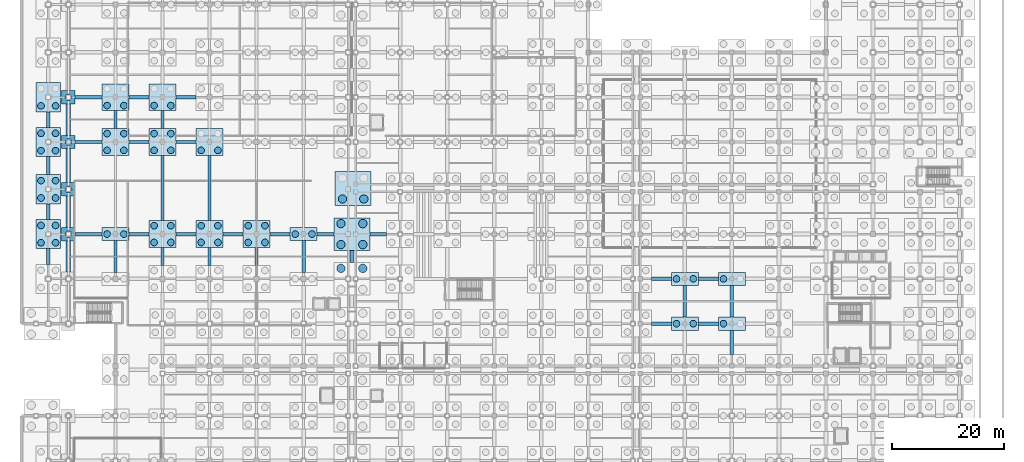
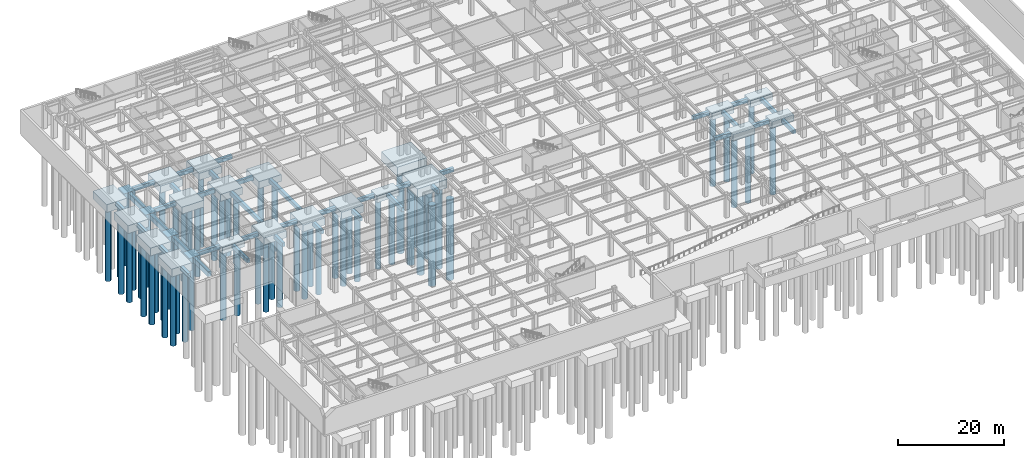
# One storey, part 6 of 55: 62 footings, 62 piles.
"""IFC4 building model written with IfcOpenShell, lengths in metres."""

import ifcopenshell
import ifcopenshell.guid

model = None  # the IFC model being written
_history = None  # IfcOwnerHistory: only IFC2X3 demands one
_inside = {}  # id of a spatial element -> (the spatial element, [elements in it])
_under = {}  # id of a project, library or spatial element -> (it, [spatial elements below it])
_declared = {}  # id of a project -> (the project, [libraries it declares])
_typed = {}  # id of a type object -> (the type object, [elements of that type])
_made_of = {}  # id of a material, layer set ... -> (it, [elements and type objects made of it])


def new_model(schema):
    """Start an empty IFC model of exactly this schema.

    Asked for "IFC4X3", IfcOpenShell would pick the latest addendum, in which some entities
    have other attributes; the version numbers below select the first issue.
    IFC2X3 requires an IfcOwnerHistory on every rooted entity: one is made here for all.
    """
    global model, _history
    if schema == "IFC4X3":
        model = ifcopenshell.file(schema_version=(4, 3, 0, 0))
    else:
        model = ifcopenshell.file(schema=schema)
    _inside.clear()
    _under.clear()
    _declared.clear()
    _typed.clear()
    _made_of.clear()
    _history = None
    if model.schema == "IFC2X3":
        org = make("IfcOrganization", Name="unknown")
        user = make(
            "IfcPersonAndOrganization",
            ThePerson=make("IfcPerson", FamilyName="unknown"),
            TheOrganization=org,
        )
        app = make(
            "IfcApplication",
            ApplicationDeveloper=org,
            Version="unknown",
            ApplicationFullName="unknown",
            ApplicationIdentifier="unknown",
        )
        _history = make(
            "IfcOwnerHistory",
            OwningUser=user,
            OwningApplication=app,
            ChangeAction="ADDED",
            CreationDate=0,
        )
    return model


def make(cls, **values):
    """One entity of the class cls with the attributes given. An attribute that is None is left unset."""
    return model.create_entity(
        cls, **{name: value for name, value in values.items() if value is not None}
    )


def rooted(cls, **values):
    """An entity with a GlobalId (a new one), such as an element, a storey or a relation."""
    return make(cls, GlobalId=ifcopenshell.guid.new(), OwnerHistory=_history, **values)


def si_unit(unit_type, name, prefix=None):
    """IfcSIUnit, for example si_unit("LENGTHUNIT", "METRE", prefix="MILLI")."""
    return make("IfcSIUnit", UnitType=unit_type, Prefix=prefix, Name=name)


def assignment(units):
    """IfcUnitAssignment: the units of a project."""
    return None if units is None else make("IfcUnitAssignment", Units=units)


def point(xyz):
    """IfcCartesianPoint."""
    return None if xyz is None else make("IfcCartesianPoint", Coordinates=xyz)


def direction(xyz):
    """IfcDirection."""
    return None if xyz is None else make("IfcDirection", DirectionRatios=xyz)


def frame(location, z_axis=None, x_axis=None):
    """IfcAxis2Placement3D, a coordinate frame: its origin and axes. An axis left out is left unset."""
    return make(
        "IfcAxis2Placement3D",
        Location=point(location),
        Axis=direction(z_axis),
        RefDirection=direction(x_axis),
    )


def frame_2d(location, x_axis=None):
    """IfcAxis2Placement2D, a coordinate frame in the plane: its origin and x axis."""
    return make(
        "IfcAxis2Placement2D", Location=point(location), RefDirection=direction(x_axis)
    )


def origin():
    """The frame at (0, 0, 0) with its axes left unset."""
    return frame((0.0, 0.0, 0.0))


def origin_2d():
    """The frame at (0, 0) in the plane with its x axis left unset."""
    return frame_2d((0.0, 0.0))


def place(relative_to, where):
    """IfcLocalPlacement: puts the frame where relative to a parent placement (None: the world)."""
    return make(
        "IfcLocalPlacement", PlacementRelTo=relative_to, RelativePlacement=where
    )


def context(
    kind, dimensions, precision=None, world=None, true_north=None, identifier=None
):
    """IfcGeometricRepresentationContext, for example the 3D "Model" context."""
    return make(
        "IfcGeometricRepresentationContext",
        ContextIdentifier=identifier,
        ContextType=kind,
        CoordinateSpaceDimension=dimensions,
        Precision=precision,
        WorldCoordinateSystem=world,
        TrueNorth=true_north,
    )


def subcontext(parent, identifier, kind, view, scale=None):
    """IfcGeometricRepresentationSubContext, for example "Body" below "Model"."""
    return make(
        "IfcGeometricRepresentationSubContext",
        ContextIdentifier=identifier,
        ContextType=kind,
        ParentContext=parent,
        TargetScale=scale,
        TargetView=view,
    )


def project(units=None, contexts=None):
    """IfcProject with its units and contexts."""
    return rooted(
        "IfcProject",
        Name="project",
        RepresentationContexts=contexts,
        UnitsInContext=assignment(units),
    )


def spatial(cls, under=None, at=None, **own):
    """A site, building, storey or space (cls), placed at a placement, below another one or the project."""
    s = rooted(cls, ObjectPlacement=at, **own)
    if under is not None:
        _under.setdefault(under.id(), (under, []))[1].append(s)
    return s


def profile(cls, at=None, kind="AREA", **sizes):
    """A parametric profile (cls). Its sizes go by their IFC names, for example OverallWidth=200.0."""
    return make(cls, ProfileType=kind, Position=at, **sizes)


def rectangle(**sizes):
    """IfcRectangleProfileDef."""
    return profile("IfcRectangleProfileDef", **sizes)


def circle(**sizes):
    """IfcCircleProfileDef."""
    return profile("IfcCircleProfileDef", **sizes)


def extrude(swept, where, along, depth):
    """IfcExtrudedAreaSolid: the profile swept, set in the frame where, extruded along a direction by depth."""
    return make(
        "IfcExtrudedAreaSolid",
        SweptArea=swept,
        Position=where,
        ExtrudedDirection=direction(along),
        Depth=depth,
    )


def shape(context_of_items, identifier, shape_type, items):
    """IfcShapeRepresentation: the items that make up one representation, for example the "Body"."""
    return make(
        "IfcShapeRepresentation",
        ContextOfItems=context_of_items,
        RepresentationIdentifier=identifier,
        RepresentationType=shape_type,
        Items=items,
    )


def material(Name=None, Category=None):
    """IfcMaterial."""
    return make("IfcMaterial", Name=Name, Category=Category)


def layer(
    of_material, thickness, ventilated=None, Name=None, Category=None, Priority=None
):
    """IfcMaterialLayer: one layer of a wall or slab, of a material (None: an air gap)."""
    return make(
        "IfcMaterialLayer",
        Material=of_material,
        LayerThickness=thickness,
        IsVentilated=ventilated,
        Name=Name,
        Category=Category,
        Priority=Priority,
    )


def layer_set(layers, Name=None):
    """IfcMaterialLayerSet."""
    return make("IfcMaterialLayerSet", MaterialLayers=layers, LayerSetName=Name)


def material_profile(
    of_material, cross_section, Name=None, Category=None, Priority=None
):
    """IfcMaterialProfile: a cross section and its material."""
    return make(
        "IfcMaterialProfile",
        Name=Name,
        Material=of_material,
        Profile=cross_section,
        Priority=Priority,
        Category=Category,
    )


def profile_set(profiles, Name=None, composite=None):
    """IfcMaterialProfileSet."""
    return make(
        "IfcMaterialProfileSet",
        Name=Name,
        MaterialProfiles=profiles,
        CompositeProfile=composite,
    )


def made_of(thing, what):
    """Note that an element or type object is made of a material, layer set ...; save() writes the relation."""
    if what is not None:
        _made_of.setdefault(what.id(), (what, []))[1].append(thing)
    return thing


def type_object(cls, material=None, **own):
    """A type object (cls), such as IfcWallType, which elements share."""
    return made_of(rooted(cls, **own), material)


def element(
    cls,
    number,
    at=None,
    inside=None,
    cuts=None,
    type_object=None,
    material=None,
    context=None,
    identifier="Body",
    shape_type=None,
    held_by="IfcProductDefinitionShape",
    body=None,
    shapes=None,
    **own,
):
    """One element of the class cls, such as IfcWall. Its Tag is "e" and its number.

    at: its placement. inside: the storey or other place that contains it. cuts: it is an
    opening in that element (IfcRelVoidsElement). A single representation is given by context,
    identifier, shape_type and body (its items); several are given by shapes. held_by: the class
    of the entity that holds the representations. save() writes the other relations.
    """
    e = rooted(cls, Tag="e%d" % number, ObjectPlacement=at, **own)
    if body is not None:
        shapes = [shape(context, identifier, shape_type, body)]
    if shapes is not None:
        e.Representation = make(held_by, Representations=shapes)
    if inside is not None:
        _inside.setdefault(inside.id(), (inside, []))[1].append(e)
    if cuts is not None:
        rooted(
            "IfcRelVoidsElement", RelatingBuildingElement=cuts, RelatedOpeningElement=e
        )
    if type_object is not None:
        _typed.setdefault(type_object.id(), (type_object, []))[1].append(e)
    return made_of(e, material)


def aggregate(whole, parts):
    """IfcRelAggregates: a whole, such as a stair, and the parts it consists of."""
    return rooted("IfcRelAggregates", RelatingObject=whole, RelatedObjects=parts)


def save(model, path):
    """Write the relations noted so far, then the file.

    IfcRelAggregates (storeys below a building ...), IfcRelContainedInSpatialStructure (elements
    in a storey), IfcRelDefinesByType, IfcRelAssociatesMaterial and IfcRelDeclares: one each for
    every whole, place, type object, material and project.
    """
    for whole, parts in _under.values():
        aggregate(whole, parts)
    for where, things in _inside.values():
        rooted(
            "IfcRelContainedInSpatialStructure",
            RelatedElements=things,
            RelatingStructure=where,
        )
    for kind, things in _typed.values():
        rooted("IfcRelDefinesByType", RelatedObjects=things, RelatingType=kind)
    for what, things in _made_of.values():
        rooted("IfcRelAssociatesMaterial", RelatedObjects=things, RelatingMaterial=what)
    for by, libraries in _declared.values():
        rooted("IfcRelDeclares", RelatingContext=by, RelatedDefinitions=libraries)
    model.write(path)


model = new_model("IFC4")

# Units and contexts
model_context = context("Model", 3, precision=1e-05, world=origin(), true_north=direction((0.0, 1.0)))
body_context = subcontext(model_context, "Body", "Model", "MODEL_VIEW")
ifc_project = project(units=[si_unit("LENGTHUNIT", "METRE"), si_unit("AREAUNIT", "SQUARE_METRE"), si_unit("VOLUMEUNIT", "CUBIC_METRE"), si_unit("PLANEANGLEUNIT", "RADIAN"), si_unit("MASSUNIT", "GRAM", prefix="KILO")], contexts=[model_context])

# Site, building, storey
site_placement = place(None, origin())
site = spatial("IfcSite", under=ifc_project, at=site_placement, CompositionType="ELEMENT")
building_placement = place(site_placement, origin())
building = spatial("IfcBuilding", under=site, at=building_placement, Name="Kazehara Bluff Congress Hotel", CompositionType="ELEMENT")
storey_placement = place(building_placement, frame((0.0, 0.0, -5.39990234375)))
storey = spatial("IfcBuildingStorey", under=building, at=storey_placement, Name="B1", CompositionType="ELEMENT", Elevation=-5.39990234375)

# Footings
ifc_material_1 = material(Name="Concrete C36/45", Category="concrete")
ifc_material_profile_1 = material_profile(ifc_material_1, rectangle(XDim=0.60009765625, YDim=0.89990234375, at=origin_2d()))
ifc_profile_set_1 = profile_set([ifc_material_profile_1], Name="Concrete C36/45")
footing_type_1 = type_object("IfcFootingType", Name="TP-FB-01", PredefinedType="FOOTING_BEAM", material=ifc_profile_set_1)
footing_1_placement = place(storey_placement, frame((112.574951171875, 48.449951171875, -0.9501953125), z_axis=(1.0, 0.0, 0.0), x_axis=(0.0, 1.0, 0.0)))
element("IfcFooting", 1, at=footing_1_placement, inside=storey, type_object=footing_type_1, Name="Foundation tie beam FB-01 111", PredefinedType="FOOTING_BEAM", context=body_context, shape_type="SweptSolid", body=[
    extrude(rectangle(XDim=0.60009765625, YDim=0.89990234375, at=origin_2d()), origin(), (0.0, 0.0, 1.0), 3.525146484375),
])
footing_2_placement = place(storey_placement, frame((120.89990234375, 48.449951171875, -0.9501953125), z_axis=(1.0, 0.0, 0.0), x_axis=(0.0, 1.0, 0.0)))
element("IfcFooting", 2, at=footing_2_placement, inside=storey, type_object=footing_type_1, Name="Foundation tie beam FB-01 112", PredefinedType="FOOTING_BEAM", context=body_context, shape_type="SweptSolid", body=[
    extrude(rectangle(XDim=0.60009765625, YDim=0.89990234375, at=origin_2d()), origin(), (0.0, 0.0, 1.0), 3.60009765625),
])
footing_3_placement = place(storey_placement, frame((112.574951171875, 56.449951171875, -0.9501953125), z_axis=(1.0, 0.0, 0.0), x_axis=(0.0, 1.0, 0.0)))
element("IfcFooting", 3, at=footing_3_placement, inside=storey, type_object=footing_type_1, Name="Foundation tie beam FB-01 124", PredefinedType="FOOTING_BEAM", context=body_context, shape_type="SweptSolid", body=[
    extrude(rectangle(XDim=0.60009765625, YDim=0.89990234375, at=origin_2d()), origin(), (0.0, 0.0, 1.0), 3.525146484375),
])
footing_4_placement = place(storey_placement, frame((120.89990234375, 56.449951171875, -0.9501953125), z_axis=(1.0, 0.0, 0.0), x_axis=(0.0, 1.0, 0.0)))
element("IfcFooting", 4, at=footing_4_placement, inside=storey, type_object=footing_type_1, Name="Foundation tie beam FB-01 125", PredefinedType="FOOTING_BEAM", context=body_context, shape_type="SweptSolid", body=[
    extrude(rectangle(XDim=0.60009765625, YDim=0.89990234375, at=origin_2d()), origin(), (0.0, 0.0, 1.0), 3.60009765625),
])
footing_5_placement = place(storey_placement, frame((9.60009765625, 64.449951171875, -0.9501953125), z_axis=(1.0, 0.0, 0.0), x_axis=(0.0, 1.0, 0.0)))
element("IfcFooting", 5, at=footing_5_placement, inside=storey, type_object=footing_type_1, Name="Foundation tie beam FB-01 131", PredefinedType="FOOTING_BEAM", context=body_context, shape_type="SweptSolid", body=[
    extrude(rectangle(XDim=0.60009765625, YDim=0.89990234375, at=origin_2d()), origin(), (0.0, 0.0, 1.0), 4.7998046875),
])
footing_6_placement = place(storey_placement, frame((19.199951171875, 64.449951171875, -0.9501953125), z_axis=(1.0, 0.0, 0.0), x_axis=(0.0, 1.0, 0.0)))
element("IfcFooting", 6, at=footing_6_placement, inside=storey, type_object=footing_type_1, Name="Foundation tie beam FB-01 132", PredefinedType="FOOTING_BEAM", context=body_context, shape_type="SweptSolid", body=[
    extrude(rectangle(XDim=0.60009765625, YDim=0.89990234375, at=origin_2d()), origin(), (0.0, 0.0, 1.0), 3.60009765625),
])
footing_7_placement = place(storey_placement, frame((27.60009765625, 64.449951171875, -0.9501953125), z_axis=(1.0, 0.0, 0.0), x_axis=(0.0, 1.0, 0.0)))
element("IfcFooting", 7, at=footing_7_placement, inside=storey, type_object=footing_type_1, Name="Foundation tie beam FB-01 133", PredefinedType="FOOTING_BEAM", context=body_context, shape_type="SweptSolid", body=[
    extrude(rectangle(XDim=0.60009765625, YDim=0.89990234375, at=origin_2d()), origin(), (0.0, 0.0, 1.0), 3.599853515625),
])
for number, where, z_axis, x_axis, name in (
    (8, (36.0, 64.449951171875, -0.9501953125), (1.0, 0.0, 0.0), (0.0, 1.0, 0.0), "Foundation tie beam FB-01 134"),
    (9, (44.39990234375, 64.449951171875, -0.9501953125), (1.0, 0.0, 0.0), (0.0, 1.0, 0.0), "Foundation tie beam FB-01 135"),
):
    element("IfcFooting", number, at=place(storey_placement, frame(where, z_axis=z_axis, x_axis=x_axis)), inside=storey, type_object=footing_type_1, Name=name, PredefinedType="FOOTING_BEAM", context=body_context, shape_type="SweptSolid", body=[
        extrude(rectangle(XDim=0.60009765625, YDim=0.89990234375, at=origin_2d()), origin(), (0.0, 0.0, 1.0), 3.60009765625),
    ])
for number, where, z_axis, x_axis, name in (
    (10, (52.800048828125, 64.449951171875, -0.9501953125), (1.0, 0.0, 0.0), (0.0, 1.0, 0.0), "Foundation tie beam FB-01 136"),
    (11, (62.25, 64.449951171875, -0.9501953125), (1.0, 0.0, 0.0), (0.0, 1.0, 0.0), "Foundation tie beam FB-01 137"),
):
    element("IfcFooting", number, at=place(storey_placement, frame(where, z_axis=z_axis, x_axis=x_axis)), inside=storey, type_object=footing_type_1, Name=name, PredefinedType="FOOTING_BEAM", context=body_context, shape_type="SweptSolid", body=[
        extrude(rectangle(XDim=0.60009765625, YDim=0.89990234375, at=origin_2d()), origin(), (0.0, 0.0, 1.0), 3.0),
    ])
footing_8_placement = place(storey_placement, frame((9.60009765625, 80.89990234375, -0.9501953125), z_axis=(1.0, 0.0, 0.0), x_axis=(0.0, 1.0, 0.0)))
element("IfcFooting", 12, at=footing_8_placement, inside=storey, type_object=footing_type_1, Name="Foundation tie beam FB-01 161", PredefinedType="FOOTING_BEAM", context=body_context, shape_type="SweptSolid", body=[
    extrude(rectangle(XDim=0.60009765625, YDim=0.89990234375, at=origin_2d()), origin(), (0.0, 0.0, 1.0), 4.7998046875),
])
footing_9_placement = place(storey_placement, frame((19.199951171875, 80.89990234375, -0.9501953125), z_axis=(1.0, 0.0, 0.0), x_axis=(0.0, 1.0, 0.0)))
element("IfcFooting", 13, at=footing_9_placement, inside=storey, type_object=footing_type_1, Name="Foundation tie beam FB-01 162", PredefinedType="FOOTING_BEAM", context=body_context, shape_type="SweptSolid", body=[
    extrude(rectangle(XDim=0.60009765625, YDim=0.89990234375, at=origin_2d()), origin(), (0.0, 0.0, 1.0), 3.60009765625),
])
footing_10_placement = place(storey_placement, frame((27.60009765625, 80.89990234375, -0.9501953125), z_axis=(1.0, 0.0, 0.0), x_axis=(0.0, 1.0, 0.0)))
element("IfcFooting", 14, at=footing_10_placement, inside=storey, type_object=footing_type_1, Name="Foundation tie beam FB-01 163", PredefinedType="FOOTING_BEAM", context=body_context, shape_type="SweptSolid", body=[
    extrude(rectangle(XDim=0.60009765625, YDim=0.89990234375, at=origin_2d()), origin(), (0.0, 0.0, 1.0), 3.599853515625),
])
footing_11_placement = place(storey_placement, frame((9.60009765625, 88.89990234375, -0.9501953125), z_axis=(1.0, 0.0, 0.0), x_axis=(0.0, 1.0, 0.0)))
element("IfcFooting", 15, at=footing_11_placement, inside=storey, type_object=footing_type_1, Name="Foundation tie beam FB-01 180", PredefinedType="FOOTING_BEAM", context=body_context, shape_type="SweptSolid", body=[
    extrude(rectangle(XDim=0.60009765625, YDim=0.89990234375, at=origin_2d()), origin(), (0.0, 0.0, 1.0), 4.7998046875),
])
footing_12_placement = place(storey_placement, frame((19.199951171875, 88.89990234375, -0.9501953125), z_axis=(1.0, 0.0, 0.0), x_axis=(0.0, 1.0, 0.0)))
element("IfcFooting", 16, at=footing_12_placement, inside=storey, type_object=footing_type_1, Name="Foundation tie beam FB-01 181", PredefinedType="FOOTING_BEAM", context=body_context, shape_type="SweptSolid", body=[
    extrude(rectangle(XDim=0.60009765625, YDim=0.89990234375, at=origin_2d()), origin(), (0.0, 0.0, 1.0), 3.60009765625),
])
footing_13_placement = place(storey_placement, frame((27.60009765625, 88.89990234375, -0.9501953125), z_axis=(1.0, 0.0, 0.0), x_axis=(0.0, 1.0, 0.0)))
element("IfcFooting", 17, at=footing_13_placement, inside=storey, type_object=footing_type_1, Name="Foundation tie beam FB-01 182", PredefinedType="FOOTING_BEAM", context=body_context, shape_type="SweptSolid", body=[
    extrude(rectangle(XDim=0.60009765625, YDim=0.89990234375, at=origin_2d()), origin(), (0.0, 0.0, 1.0), 3.599853515625),
])
for number, where, z_axis, x_axis, name in (
    (18, (4.800048828125, 59.050048828125, -0.9501953125), (0.0, 1.0, 0.0), (-1.0, 0.0, 0.0), "Foundation tie beam FB-01 252"),
    (19, (4.800048828125, 67.050048828125, -0.9501953125), (0.0, 1.0, 0.0), (-1.0, 0.0, 0.0), "Foundation tie beam FB-01 253"),
):
    element("IfcFooting", number, at=place(storey_placement, frame(where, z_axis=z_axis, x_axis=x_axis)), inside=storey, type_object=footing_type_1, Name=name, PredefinedType="FOOTING_BEAM", context=body_context, shape_type="SweptSolid", body=[
        extrude(rectangle(XDim=0.60009765625, YDim=0.89990234375, at=origin_2d()), origin(), (0.0, 0.0, 1.0), 2.800048828125),
    ])
footing_14_placement = place(storey_placement, frame((4.800048828125, 75.050048828125, -0.9501953125), z_axis=(0.0, 1.0, 0.0), x_axis=(-1.0, 0.0, 0.0)))
element("IfcFooting", 20, at=footing_14_placement, inside=storey, type_object=footing_type_1, Name="Foundation tie beam FB-01 254", PredefinedType="FOOTING_BEAM", context=body_context, shape_type="SweptSolid", body=[
    extrude(rectangle(XDim=0.60009765625, YDim=0.89990234375, at=origin_2d()), origin(), (0.0, 0.0, 1.0), 3.25),
])
footing_15_placement = place(storey_placement, frame((4.800048828125, 83.5, -0.9501953125), z_axis=(0.0, 1.0, 0.0), x_axis=(-1.0, 0.0, 0.0)))
element("IfcFooting", 21, at=footing_15_placement, inside=storey, type_object=footing_type_1, Name="Foundation tie beam FB-01 255", PredefinedType="FOOTING_BEAM", context=body_context, shape_type="SweptSolid", body=[
    extrude(rectangle(XDim=0.60009765625, YDim=0.89990234375, at=origin_2d()), origin(), (0.0, 0.0, 1.0), 2.800048828125),
])
footing_16_placement = place(storey_placement, frame((16.800048828125, 57.625, -0.9501953125), z_axis=(0.0, 1.0, 0.0), x_axis=(-1.0, 0.0, 0.0)))
element("IfcFooting", 22, at=footing_16_placement, inside=storey, type_object=footing_type_1, Name="Foundation tie beam FB-01 276", PredefinedType="FOOTING_BEAM", context=body_context, shape_type="SweptSolid", body=[
    extrude(rectangle(XDim=0.60009765625, YDim=0.89990234375, at=origin_2d()), origin(), (0.0, 0.0, 1.0), 5.64990234375),
])
for number, where, z_axis, x_axis, name in (
    (23, (16.800048828125, 83.300048828125, -0.9501953125), (0.0, 1.0, 0.0), (-1.0, 0.0, 0.0), "Foundation tie beam FB-01 277"),
    (24, (25.199951171875, 58.85009765625, -0.9501953125), (0.0, 1.0, 0.0), (-1.0, 0.0, 0.0), "Foundation tie beam FB-01 287"),
):
    element("IfcFooting", number, at=place(storey_placement, frame(where, z_axis=z_axis, x_axis=x_axis)), inside=storey, type_object=footing_type_1, Name=name, PredefinedType="FOOTING_BEAM", context=body_context, shape_type="SweptSolid", body=[
        extrude(rectangle(XDim=0.60009765625, YDim=0.89990234375, at=origin_2d()), origin(), (0.0, 0.0, 1.0), 3.199951171875),
    ])
footing_17_placement = place(storey_placement, frame((25.199951171875, 66.85009765625, -0.9501953125), z_axis=(0.0, 1.0, 0.0), x_axis=(-1.0, 0.0, 0.0)))
element("IfcFooting", 25, at=footing_17_placement, inside=storey, type_object=footing_type_1, Name="Foundation tie beam FB-01 288", PredefinedType="FOOTING_BEAM", context=body_context, shape_type="SweptSolid", body=[
    extrude(rectangle(XDim=0.60009765625, YDim=0.89990234375, at=origin_2d()), origin(), (0.0, 0.0, 1.0), 11.64990234375),
])
for number, where, z_axis, x_axis, name in (
    (26, (25.199951171875, 83.300048828125, -0.9501953125), (0.0, 1.0, 0.0), (-1.0, 0.0, 0.0), "Foundation tie beam FB-01 289"),
    (27, (33.60009765625, 58.85009765625, -0.9501953125), (0.0, 1.0, 0.0), (-1.0, 0.0, 0.0), "Foundation tie beam FB-01 301"),
):
    element("IfcFooting", number, at=place(storey_placement, frame(where, z_axis=z_axis, x_axis=x_axis)), inside=storey, type_object=footing_type_1, Name=name, PredefinedType="FOOTING_BEAM", context=body_context, shape_type="SweptSolid", body=[
        extrude(rectangle(XDim=0.60009765625, YDim=0.89990234375, at=origin_2d()), origin(), (0.0, 0.0, 1.0), 3.199951171875),
    ])
footing_18_placement = place(storey_placement, frame((33.60009765625, 66.85009765625, -0.9501953125), z_axis=(0.0, 1.0, 0.0), x_axis=(-1.0, 0.0, 0.0)))
element("IfcFooting", 28, at=footing_18_placement, inside=storey, type_object=footing_type_1, Name="Foundation tie beam FB-01 302", PredefinedType="FOOTING_BEAM", context=body_context, shape_type="SweptSolid", body=[
    extrude(rectangle(XDim=0.60009765625, YDim=0.89990234375, at=origin_2d()), origin(), (0.0, 0.0, 1.0), 11.64990234375),
])
footing_19_placement = place(storey_placement, frame((42.0, 58.85009765625, -0.9501953125), z_axis=(0.0, 1.0, 0.0), x_axis=(-1.0, 0.0, 0.0)))
element("IfcFooting", 29, at=footing_19_placement, inside=storey, type_object=footing_type_1, Name="Foundation tie beam FB-01 314", PredefinedType="FOOTING_BEAM", context=body_context, shape_type="SweptSolid", body=[
    extrude(rectangle(XDim=0.60009765625, YDim=0.89990234375, at=origin_2d()), origin(), (0.0, 0.0, 1.0), 3.199951171875),
])
footing_20_placement = place(storey_placement, frame((50.39990234375, 57.625, -0.9501953125), z_axis=(0.0, 1.0, 0.0), x_axis=(-1.0, 0.0, 0.0)))
element("IfcFooting", 30, at=footing_20_placement, inside=storey, type_object=footing_type_1, Name="Foundation tie beam FB-01 325", PredefinedType="FOOTING_BEAM", context=body_context, shape_type="SweptSolid", body=[
    extrude(rectangle(XDim=0.60009765625, YDim=0.89990234375, at=origin_2d()), origin(), (0.0, 0.0, 1.0), 5.64990234375),
])
footing_21_placement = place(storey_placement, frame((59.02490234375, 59.35009765625, -0.9501953125), z_axis=(0.0, 1.0, 0.0), x_axis=(-1.0, 0.0, 0.0)))
element("IfcFooting", 31, at=footing_21_placement, inside=storey, type_object=footing_type_1, Name="Foundation tie beam FB-01 334", PredefinedType="FOOTING_BEAM", context=body_context, shape_type="SweptSolid", body=[
    extrude(rectangle(XDim=0.60009765625, YDim=0.89990234375, at=origin_2d()), origin(), (0.0, 0.0, 1.0), 2.199951171875),
])
footing_22_placement = place(storey_placement, frame((118.5, 49.625, -0.9501953125), z_axis=(0.0, 1.0, 0.0), x_axis=(-1.0, 0.0, 0.0)))
element("IfcFooting", 32, at=footing_22_placement, inside=storey, type_object=footing_type_1, Name="Foundation tie beam FB-01 419", PredefinedType="FOOTING_BEAM", context=body_context, shape_type="SweptSolid", body=[
    extrude(rectangle(XDim=0.60009765625, YDim=0.89990234375, at=origin_2d()), origin(), (0.0, 0.0, 1.0), 5.64990234375),
])
footing_23_placement = place(storey_placement, frame((126.89990234375, 42.925048828125, -0.9501953125), z_axis=(0.0, 1.0, 0.0), x_axis=(-1.0, 0.0, 0.0)))
element("IfcFooting", 33, at=footing_23_placement, inside=storey, type_object=footing_type_1, Name="Foundation tie beam FB-01 429", PredefinedType="FOOTING_BEAM", context=body_context, shape_type="SweptSolid", body=[
    extrude(rectangle(XDim=0.60009765625, YDim=0.89990234375, at=origin_2d()), origin(), (0.0, 0.0, 1.0), 4.349853515625),
])
footing_24_placement = place(storey_placement, frame((126.89990234375, 49.625, -0.9501953125), z_axis=(0.0, 1.0, 0.0), x_axis=(-1.0, 0.0, 0.0)))
element("IfcFooting", 34, at=footing_24_placement, inside=storey, type_object=footing_type_1, Name="Foundation tie beam FB-01 430", PredefinedType="FOOTING_BEAM", context=body_context, shape_type="SweptSolid", body=[
    extrude(rectangle(XDim=0.60009765625, YDim=0.89990234375, at=origin_2d()), origin(), (0.0, 0.0, 1.0), 5.64990234375),
])
ifc_material_2 = material(Name="Concrete C36/45", Category="concrete")
ifc_material_profile_2 = material_profile(ifc_material_2, rectangle(XDim=0.800048828125, YDim=1.10009765625, at=origin_2d()))
ifc_profile_set_2 = profile_set([ifc_material_profile_2], Name="Concrete C36/45")
footing_type_2 = type_object("IfcFootingType", Name="TP-FB-03", PredefinedType="FOOTING_BEAM", material=ifc_profile_set_2)
for number, where, z_axis, x_axis, name in (
    (35, (8.39990234375, 57.64990234375, -1.050048828125), (0.0, 1.0, 0.0), (-1.0, 0.0, 0.0), "Foundation tie beam FB-03 264"),
    (36, (8.39990234375, 65.64990234375, -1.050048828125), (0.0, 1.0, 0.0), (-1.0, 0.0, 0.0), "Foundation tie beam FB-03 265"),
):
    element("IfcFooting", number, at=place(storey_placement, frame(where, z_axis=z_axis, x_axis=x_axis)), inside=storey, type_object=footing_type_2, Name=name, PredefinedType="FOOTING_BEAM", context=body_context, shape_type="SweptSolid", body=[
        extrude(rectangle(XDim=0.800048828125, YDim=1.10009765625, at=origin_2d()), origin(), (0.0, 0.0, 1.0), 5.60009765625),
    ])
footing_25_placement = place(storey_placement, frame((8.39990234375, 73.64990234375, -1.050048828125), z_axis=(0.0, 1.0, 0.0), x_axis=(-1.0, 0.0, 0.0)))
element("IfcFooting", 37, at=footing_25_placement, inside=storey, type_object=footing_type_2, Name="Foundation tie beam FB-03 266", PredefinedType="FOOTING_BEAM", context=body_context, shape_type="SweptSolid", body=[
    extrude(rectangle(XDim=0.800048828125, YDim=1.10009765625, at=origin_2d()), origin(), (0.0, 0.0, 1.0), 6.050048828125),
])
footing_26_placement = place(storey_placement, frame((8.39990234375, 82.10009765625, -1.050048828125), z_axis=(0.0, 1.0, 0.0), x_axis=(-1.0, 0.0, 0.0)))
element("IfcFooting", 38, at=footing_26_placement, inside=storey, type_object=footing_type_2, Name="Foundation tie beam FB-03 267", PredefinedType="FOOTING_BEAM", context=body_context, shape_type="SweptSolid", body=[
    extrude(rectangle(XDim=0.800048828125, YDim=1.10009765625, at=origin_2d()), origin(), (0.0, 0.0, 1.0), 5.599853515625),
])
ifc_material_3 = material(Name="Concrete C36/45", Category="concrete")
ifc_layer_1 = layer(ifc_material_3, 1.39990234375)
ifc_layer_set_1 = layer_set([ifc_layer_1], Name="Concrete C36/45")
footing_type_3 = type_object("IfcFootingType", Name="TP-PC-01", PredefinedType="PILE_CAP", material=ifc_layer_set_1)
for number, where, z_axis, x_axis, name in (
    (39, (8.39990234375, 64.449951171875, -1.900146484375), (0.0, 0.0, 1.0), (1.0, 0.0, 0.0), "Pile cap PC-01 23"),
    (40, (8.39990234375, 72.449951171875, -1.900146484375), (0.0, 0.0, 1.0), (1.0, 0.0, 0.0), "Pile cap PC-01 24"),
    (41, (8.39990234375, 80.89990234375, -1.900146484375), (0.0, 0.0, 1.0), (1.0, 0.0, 0.0), "Pile cap PC-01 25"),
    (42, (8.39990234375, 88.89990234375, -1.900146484375), (0.0, 0.0, 1.0), (1.0, 0.0, 0.0), "Pile cap PC-01 26"),
):
    element("IfcFooting", number, at=place(storey_placement, frame(where, z_axis=z_axis, x_axis=x_axis)), inside=storey, type_object=footing_type_3, Name=name, PredefinedType="PILE_CAP", context=body_context, shape_type="SweptSolid", body=[
        extrude(rectangle(XDim=2.39990234375, YDim=2.39990234375, at=origin_2d()), origin(), (0.0, 0.0, 1.0), 1.39990234375),
    ])
ifc_material_4 = material(Name="Concrete C36/45", Category="concrete")
ifc_layer_2 = layer(ifc_material_4, 1.5)
ifc_layer_set_2 = layer_set([ifc_layer_2], Name="Concrete C36/45")
footing_type_4 = type_object("IfcFootingType", Name="TP-PC-02", PredefinedType="PILE_CAP", material=ifc_layer_set_2)
for number, where, z_axis, x_axis, name in (
    (43, (16.800048828125, 64.449951171875, -2.0), (0.0, 0.0, 1.0), (1.0, 0.0, 0.0), "Pile cap PC-02 37"),
    (44, (50.39990234375, 64.449951171875, -2.0), (0.0, 0.0, 1.0), (1.0, 0.0, 0.0), "Pile cap PC-02 94"),
    (45, (118.5, 48.449951171875, -2.0), (0.0, 0.0, 1.0), (1.0, 0.0, 0.0), "Pile cap PC-02 203"),
    (46, (118.5, 56.449951171875, -2.0), (0.0, 0.0, 1.0), (1.0, 0.0, 0.0), "Pile cap PC-02 204"),
    (47, (126.89990234375, 48.449951171875, -2.0), (0.0, 0.0, 1.0), (1.0, 0.0, 0.0), "Pile cap PC-02 215"),
    (48, (126.89990234375, 56.449951171875, -2.0), (0.0, 0.0, 1.0), (1.0, 0.0, 0.0), "Pile cap PC-02 216"),
):
    element("IfcFooting", number, at=place(storey_placement, frame(where, z_axis=z_axis, x_axis=x_axis)), inside=storey, type_object=footing_type_4, Name=name, PredefinedType="PILE_CAP", context=body_context, shape_type="SweptSolid", body=[
        extrude(rectangle(XDim=4.800048828125, YDim=2.35009765625, at=origin_2d()), origin(), (0.0, 0.0, 1.0), 1.5),
    ])
ifc_material_5 = material(Name="Concrete C36/45", Category="concrete")
ifc_layer_3 = layer(ifc_material_5, 1.60009765625)
ifc_layer_set_3 = layer_set([ifc_layer_3], Name="Concrete C36/45")
footing_type_5 = type_object("IfcFootingType", Name="TP-PC-04", PredefinedType="PILE_CAP", material=ifc_layer_set_3)
for number, where, z_axis, x_axis, name in (
    (49, (16.800048828125, 80.89990234375, -2.10009765625), (0.0, 0.0, 1.0), (1.0, 0.0, 0.0), "Pile cap PC-04 38"),
    (50, (16.800048828125, 88.89990234375, -2.10009765625), (0.0, 0.0, 1.0), (1.0, 0.0, 0.0), "Pile cap PC-04 39"),
    (51, (25.199951171875, 64.449951171875, -2.10009765625), (0.0, 0.0, 1.0), (1.0, 0.0, 0.0), "Pile cap PC-04 50"),
    (52, (25.199951171875, 80.89990234375, -2.10009765625), (0.0, 0.0, 1.0), (1.0, 0.0, 0.0), "Pile cap PC-04 51"),
    (53, (25.199951171875, 88.89990234375, -2.10009765625), (0.0, 0.0, 1.0), (1.0, 0.0, 0.0), "Pile cap PC-04 52"),
    (54, (33.60009765625, 64.449951171875, -2.10009765625), (0.0, 0.0, 1.0), (1.0, 0.0, 0.0), "Pile cap PC-04 65"),
    (55, (33.60009765625, 80.89990234375, -2.10009765625), (0.0, 0.0, 1.0), (1.0, 0.0, 0.0), "Pile cap PC-04 66"),
    (56, (42.0, 64.449951171875, -2.10009765625), (0.0, 0.0, 1.0), (1.0, 0.0, 0.0), "Pile cap PC-04 80"),
):
    element("IfcFooting", number, at=place(storey_placement, frame(where, z_axis=z_axis, x_axis=x_axis)), inside=storey, type_object=footing_type_5, Name=name, PredefinedType="PILE_CAP", context=body_context, shape_type="SweptSolid", body=[
        extrude(rectangle(XDim=4.800048828125, YDim=4.800048828125, at=origin_2d()), origin(), (0.0, 0.0, 1.0), 1.60009765625),
    ])
ifc_material_6 = material(Name="Concrete C36/45", Category="concrete")
ifc_layer_4 = layer(ifc_material_6, 1.800048828125)
ifc_layer_set_4 = layer_set([ifc_layer_4], Name="Concrete C36/45")
footing_type_6 = type_object("IfcFootingType", Name="TP-PC-06", PredefinedType="PILE_CAP", material=ifc_layer_set_4)
for number, where, z_axis, x_axis, name in (
    (57, (4.800048828125, 64.449951171875, -2.30029296875), (0.0, 0.0, 1.0), (1.0, 0.0, 0.0), "Pile cap PC-06 8"),
    (58, (4.800048828125, 72.449951171875, -2.30029296875), (0.0, 0.0, 1.0), (1.0, 0.0, 0.0), "Pile cap PC-06 9"),
    (59, (4.800048828125, 80.89990234375, -2.30029296875), (0.0, 0.0, 1.0), (1.0, 0.0, 0.0), "Pile cap PC-06 10"),
    (60, (4.800048828125, 88.89990234375, -2.30029296875), (0.0, 0.0, 1.0), (1.0, 0.0, 0.0), "Pile cap PC-06 11"),
):
    element("IfcFooting", number, at=place(storey_placement, frame(where, z_axis=z_axis, x_axis=x_axis)), inside=storey, type_object=footing_type_6, Name=name, PredefinedType="PILE_CAP", context=body_context, shape_type="SweptSolid", body=[
        extrude(rectangle(XDim=4.39990234375, YDim=5.199951171875, at=origin_2d()), origin(), (0.0, 0.0, 1.0), 1.800048828125),
    ])
ifc_material_7 = material(Name="Concrete C36/45", Category="concrete")
ifc_layer_5 = layer(ifc_material_7, 2.0)
ifc_layer_set_5 = layer_set([ifc_layer_5], Name="Concrete C36/45")
footing_type_7 = type_object("IfcFootingType", Name="TP-PC-11", PredefinedType="PILE_CAP", material=ifc_layer_set_5)
footing_27_placement = place(storey_placement, frame((59.02490234375, 64.449951171875, -2.5), z_axis=(0.0, 0.0, 1.0), x_axis=(1.0, 0.0, 0.0)))
element("IfcFooting", 61, at=footing_27_placement, inside=storey, type_object=footing_type_7, Name="Pile cap PC-11 107", PredefinedType="PILE_CAP", context=body_context, shape_type="SweptSolid", body=[
    extrude(rectangle(XDim=6.449951171875, YDim=5.800048828125, at=origin_2d()), origin(), (0.0, 0.0, 1.0), 2.0),
])
ifc_material_8 = material(Name="Concrete C36/45", Category="concrete")
ifc_layer_6 = layer(ifc_material_8, 2.10009765625)
ifc_layer_set_6 = layer_set([ifc_layer_6], Name="Concrete C36/45")
footing_type_8 = type_object("IfcFootingType", Name="TP-PC-13", PredefinedType="PILE_CAP", material=ifc_layer_set_6)
footing_28_placement = place(storey_placement, frame((59.25, 72.60009765625, -2.60009765625), z_axis=(0.0, 0.0, 1.0), x_axis=(1.0, 0.0, 0.0)))
element("IfcFooting", 62, at=footing_28_placement, inside=storey, type_object=footing_type_8, Name="Pile cap PC-13 108", PredefinedType="PILE_CAP", context=body_context, shape_type="SweptSolid", body=[
    extrude(rectangle(XDim=6.39990234375, YDim=6.0, at=origin_2d()), origin(), (0.0, 0.0, 1.0), 2.10009765625),
])

# Piles
ifc_material_9 = material(Name="Concrete C36/45", Category="concrete")
ifc_material_profile_3 = material_profile(ifc_material_9, circle(Radius=0.60009765625, at=origin_2d()))
ifc_profile_set_3 = profile_set([ifc_material_profile_3], Name="Concrete C36/45")
pile_type_1 = type_object("IfcPileType", Name="TP-PILE-1200", PredefinedType="BORED", material=ifc_profile_set_3)
for number, where, z_axis, x_axis, name in (
    (63, (3.5, 62.89990234375, -2.2001953125), (0.0, 0.0, -1.0), (1.0, 0.0, 0.0), "Bored pile FND-PC-008-P1"),
    (64, (6.10009765625, 62.89990234375, -2.2001953125), (0.0, 0.0, -1.0), (1.0, 0.0, 0.0), "Bored pile FND-PC-008-P2"),
    (65, (3.5, 66.0, -2.2001953125), (0.0, 0.0, -1.0), (1.0, 0.0, 0.0), "Bored pile FND-PC-008-P3"),
    (66, (6.10009765625, 66.0, -2.2001953125), (0.0, 0.0, -1.0), (1.0, 0.0, 0.0), "Bored pile FND-PC-008-P4"),
    (67, (3.5, 70.89990234375, -2.2001953125), (0.0, 0.0, -1.0), (1.0, 0.0, 0.0), "Bored pile FND-PC-009-P1"),
    (68, (6.10009765625, 70.89990234375, -2.2001953125), (0.0, 0.0, -1.0), (1.0, 0.0, 0.0), "Bored pile FND-PC-009-P2"),
    (69, (3.5, 74.0, -2.2001953125), (0.0, 0.0, -1.0), (1.0, 0.0, 0.0), "Bored pile FND-PC-009-P3"),
    (70, (6.10009765625, 74.0, -2.2001953125), (0.0, 0.0, -1.0), (1.0, 0.0, 0.0), "Bored pile FND-PC-009-P4"),
    (71, (3.5, 79.35009765625, -2.2001953125), (0.0, 0.0, -1.0), (1.0, 0.0, 0.0), "Bored pile FND-PC-010-P1"),
    (72, (6.10009765625, 79.35009765625, -2.2001953125), (0.0, 0.0, -1.0), (1.0, 0.0, 0.0), "Bored pile FND-PC-010-P2"),
    (73, (3.5, 82.449951171875, -2.2001953125), (0.0, 0.0, -1.0), (1.0, 0.0, 0.0), "Bored pile FND-PC-010-P3"),
    (74, (6.10009765625, 82.449951171875, -2.2001953125), (0.0, 0.0, -1.0), (1.0, 0.0, 0.0), "Bored pile FND-PC-010-P4"),
    (75, (3.5, 87.35009765625, -2.2001953125), (0.0, 0.0, -1.0), (1.0, 0.0, 0.0), "Bored pile FND-PC-011-P1"),
    (76, (6.10009765625, 87.35009765625, -2.2001953125), (0.0, 0.0, -1.0), (1.0, 0.0, 0.0), "Bored pile FND-PC-011-P2"),
):
    element("IfcPile", number, at=place(storey_placement, frame(where, z_axis=z_axis, x_axis=x_axis)), inside=storey, type_object=pile_type_1, Name=name, PredefinedType="BORED", context=body_context, shape_type="SweptSolid", body=[
        extrude(circle(Radius=0.60009765625, at=origin_2d()), origin(), (0.0, 0.0, 1.0), 16.5),
    ])
for number, where, z_axis, x_axis, name in (
    (77, (8.39990234375, 64.449951171875, -1.800048828125), (0.0, 0.0, -1.0), (1.0, 0.0, 0.0), "Bored pile FND-PC-023-P1"),
    (78, (8.39990234375, 72.449951171875, -1.800048828125), (0.0, 0.0, -1.0), (1.0, 0.0, 0.0), "Bored pile FND-PC-024-P1"),
    (79, (8.39990234375, 80.89990234375, -1.800048828125), (0.0, 0.0, -1.0), (1.0, 0.0, 0.0), "Bored pile FND-PC-025-P1"),
    (80, (8.39990234375, 88.89990234375, -1.800048828125), (0.0, 0.0, -1.0), (1.0, 0.0, 0.0), "Bored pile FND-PC-026-P1"),
    (81, (15.300048828125, 64.449951171875, -1.900146484375), (0.0, 0.0, -1.0), (1.0, 0.0, 0.0), "Bored pile FND-PC-037-P1"),
    (82, (18.300048828125, 64.449951171875, -1.900146484375), (0.0, 0.0, -1.0), (1.0, 0.0, 0.0), "Bored pile FND-PC-037-P2"),
    (83, (15.300048828125, 79.39990234375, -2.0), (0.0, 0.0, -1.0), (1.0, 0.0, 0.0), "Bored pile FND-PC-038-P1"),
    (84, (18.300048828125, 79.39990234375, -2.0), (0.0, 0.0, -1.0), (1.0, 0.0, 0.0), "Bored pile FND-PC-038-P2"),
    (85, (15.300048828125, 82.39990234375, -2.0), (0.0, 0.0, -1.0), (1.0, 0.0, 0.0), "Bored pile FND-PC-038-P3"),
    (86, (18.300048828125, 82.39990234375, -2.0), (0.0, 0.0, -1.0), (1.0, 0.0, 0.0), "Bored pile FND-PC-038-P4"),
    (87, (15.300048828125, 87.39990234375, -2.0), (0.0, 0.0, -1.0), (1.0, 0.0, 0.0), "Bored pile FND-PC-039-P1"),
    (88, (18.300048828125, 87.39990234375, -2.0), (0.0, 0.0, -1.0), (1.0, 0.0, 0.0), "Bored pile FND-PC-039-P2"),
    (89, (23.699951171875, 62.949951171875, -2.0), (0.0, 0.0, -1.0), (1.0, 0.0, 0.0), "Bored pile FND-PC-050-P1"),
    (90, (26.699951171875, 62.949951171875, -2.0), (0.0, 0.0, -1.0), (1.0, 0.0, 0.0), "Bored pile FND-PC-050-P2"),
    (91, (23.699951171875, 65.949951171875, -2.0), (0.0, 0.0, -1.0), (1.0, 0.0, 0.0), "Bored pile FND-PC-050-P3"),
    (92, (26.699951171875, 65.949951171875, -2.0), (0.0, 0.0, -1.0), (1.0, 0.0, 0.0), "Bored pile FND-PC-050-P4"),
    (93, (23.699951171875, 79.39990234375, -2.0), (0.0, 0.0, -1.0), (1.0, 0.0, 0.0), "Bored pile FND-PC-051-P1"),
    (94, (26.699951171875, 79.39990234375, -2.0), (0.0, 0.0, -1.0), (1.0, 0.0, 0.0), "Bored pile FND-PC-051-P2"),
    (95, (23.699951171875, 82.39990234375, -2.0), (0.0, 0.0, -1.0), (1.0, 0.0, 0.0), "Bored pile FND-PC-051-P3"),
    (96, (26.699951171875, 82.39990234375, -2.0), (0.0, 0.0, -1.0), (1.0, 0.0, 0.0), "Bored pile FND-PC-051-P4"),
    (97, (23.699951171875, 87.39990234375, -2.0), (0.0, 0.0, -1.0), (1.0, 0.0, 0.0), "Bored pile FND-PC-052-P1"),
    (98, (26.699951171875, 87.39990234375, -2.0), (0.0, 0.0, -1.0), (1.0, 0.0, 0.0), "Bored pile FND-PC-052-P2"),
    (99, (32.10009765625, 62.949951171875, -2.0), (0.0, 0.0, -1.0), (1.0, 0.0, 0.0), "Bored pile FND-PC-065-P1"),
    (100, (35.10009765625, 62.949951171875, -2.0), (0.0, 0.0, -1.0), (1.0, 0.0, 0.0), "Bored pile FND-PC-065-P2"),
    (101, (32.10009765625, 65.949951171875, -2.0), (0.0, 0.0, -1.0), (1.0, 0.0, 0.0), "Bored pile FND-PC-065-P3"),
    (102, (35.10009765625, 65.949951171875, -2.0), (0.0, 0.0, -1.0), (1.0, 0.0, 0.0), "Bored pile FND-PC-065-P4"),
    (103, (32.10009765625, 79.39990234375, -2.0), (0.0, 0.0, -1.0), (1.0, 0.0, 0.0), "Bored pile FND-PC-066-P1"),
    (104, (35.10009765625, 79.39990234375, -2.0), (0.0, 0.0, -1.0), (1.0, 0.0, 0.0), "Bored pile FND-PC-066-P2"),
    (105, (40.5, 62.949951171875, -2.0), (0.0, 0.0, -1.0), (1.0, 0.0, 0.0), "Bored pile FND-PC-080-P1"),
    (106, (43.5, 62.949951171875, -2.0), (0.0, 0.0, -1.0), (1.0, 0.0, 0.0), "Bored pile FND-PC-080-P2"),
    (107, (40.5, 65.949951171875, -2.0), (0.0, 0.0, -1.0), (1.0, 0.0, 0.0), "Bored pile FND-PC-080-P3"),
    (108, (43.5, 65.949951171875, -2.0), (0.0, 0.0, -1.0), (1.0, 0.0, 0.0), "Bored pile FND-PC-080-P4"),
    (109, (48.89990234375, 64.449951171875, -1.900146484375), (0.0, 0.0, -1.0), (1.0, 0.0, 0.0), "Bored pile FND-PC-094-P1"),
    (110, (51.89990234375, 64.449951171875, -1.900146484375), (0.0, 0.0, -1.0), (1.0, 0.0, 0.0), "Bored pile FND-PC-094-P2"),
    (111, (117.0, 48.449951171875, -1.900146484375), (0.0, 0.0, -1.0), (1.0, 0.0, 0.0), "Bored pile FND-PC-203-P1"),
    (112, (120.0, 48.449951171875, -1.900146484375), (0.0, 0.0, -1.0), (1.0, 0.0, 0.0), "Bored pile FND-PC-203-P2"),
    (113, (117.0, 56.449951171875, -1.900146484375), (0.0, 0.0, -1.0), (1.0, 0.0, 0.0), "Bored pile FND-PC-204-P1"),
    (114, (120.0, 56.449951171875, -1.900146484375), (0.0, 0.0, -1.0), (1.0, 0.0, 0.0), "Bored pile FND-PC-204-P2"),
    (115, (125.39990234375, 48.449951171875, -1.900146484375), (0.0, 0.0, -1.0), (1.0, 0.0, 0.0), "Bored pile FND-PC-215-P1"),
    (116, (125.39990234375, 56.449951171875, -1.900146484375), (0.0, 0.0, -1.0), (1.0, 0.0, 0.0), "Bored pile FND-PC-216-P1"),
):
    element("IfcPile", number, at=place(storey_placement, frame(where, z_axis=z_axis, x_axis=x_axis)), inside=storey, type_object=pile_type_1, Name=name, PredefinedType="BORED", context=body_context, shape_type="SweptSolid", body=[
        extrude(circle(Radius=0.60009765625, at=origin_2d()), origin(), (0.0, 0.0, 1.0), 16.0),
    ])
ifc_material_10 = material(Name="Concrete C36/45", Category="concrete")
ifc_material_profile_4 = material_profile(ifc_material_10, circle(Radius=0.75, at=origin_2d()))
ifc_profile_set_4 = profile_set([ifc_material_profile_4], Name="Concrete C36/45")
pile_type_2 = type_object("IfcPileType", Name="TP-PILE-1500", PredefinedType="BORED", material=ifc_profile_set_4)
for number, where, z_axis, x_axis, name in (
    (117, (57.074951171875, 58.324951171875, -2.400146484375), (0.0, 0.0, -1.0), (1.0, 0.0, 0.0), "Bored pile FND-PC-106-P3"),
    (118, (60.97509765625, 58.324951171875, -2.400146484375), (0.0, 0.0, -1.0), (1.0, 0.0, 0.0), "Bored pile FND-PC-106-P4"),
    (119, (57.074951171875, 62.574951171875, -2.400146484375), (0.0, 0.0, -1.0), (1.0, 0.0, 0.0), "Bored pile FND-PC-107-P1"),
    (120, (60.97509765625, 62.574951171875, -2.400146484375), (0.0, 0.0, -1.0), (1.0, 0.0, 0.0), "Bored pile FND-PC-107-P2"),
    (121, (57.074951171875, 66.324951171875, -2.400146484375), (0.0, 0.0, -1.0), (1.0, 0.0, 0.0), "Bored pile FND-PC-107-P3"),
    (122, (60.97509765625, 66.324951171875, -2.400146484375), (0.0, 0.0, -1.0), (1.0, 0.0, 0.0), "Bored pile FND-PC-107-P4"),
    (123, (57.35009765625, 70.72509765625, -2.5), (0.0, 0.0, -1.0), (1.0, 0.0, 0.0), "Bored pile FND-PC-108-P1"),
    (124, (61.14990234375, 70.72509765625, -2.5), (0.0, 0.0, -1.0), (1.0, 0.0, 0.0), "Bored pile FND-PC-108-P2"),
):
    element("IfcPile", number, at=place(storey_placement, frame(where, z_axis=z_axis, x_axis=x_axis)), inside=storey, type_object=pile_type_2, Name=name, PredefinedType="BORED", context=body_context, shape_type="SweptSolid", body=[
        extrude(circle(Radius=0.75, at=origin_2d()), origin(), (0.0, 0.0, 1.0), 18.5),
    ])

save(model, "model.ifc")
